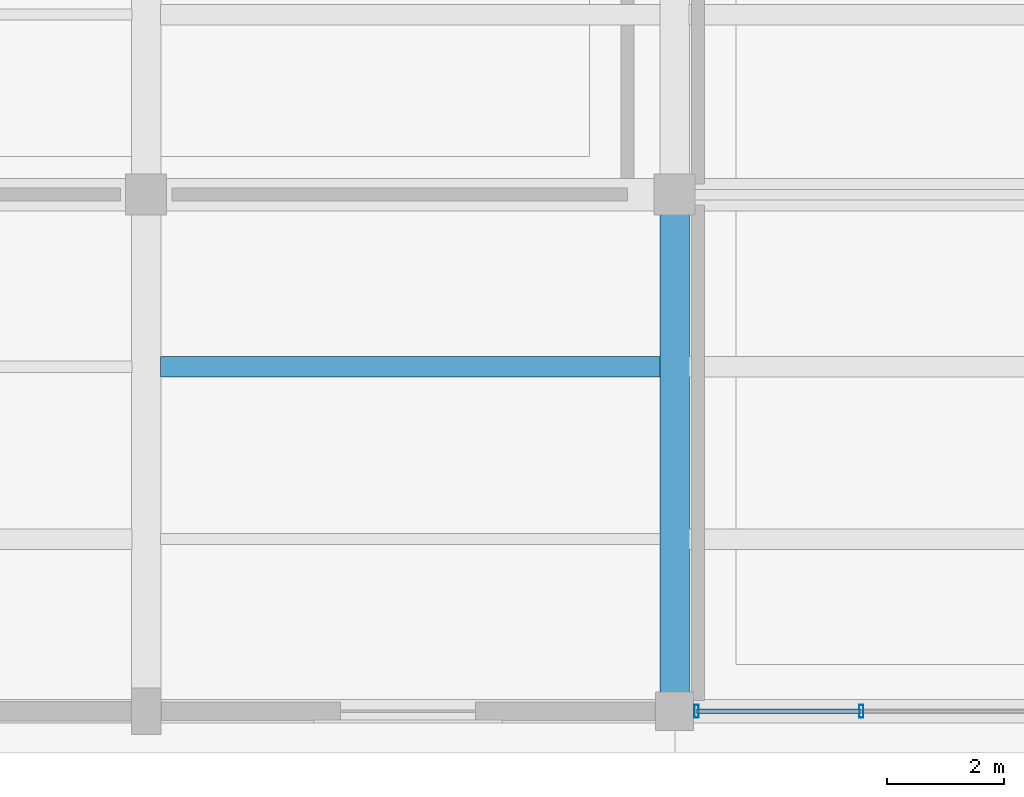
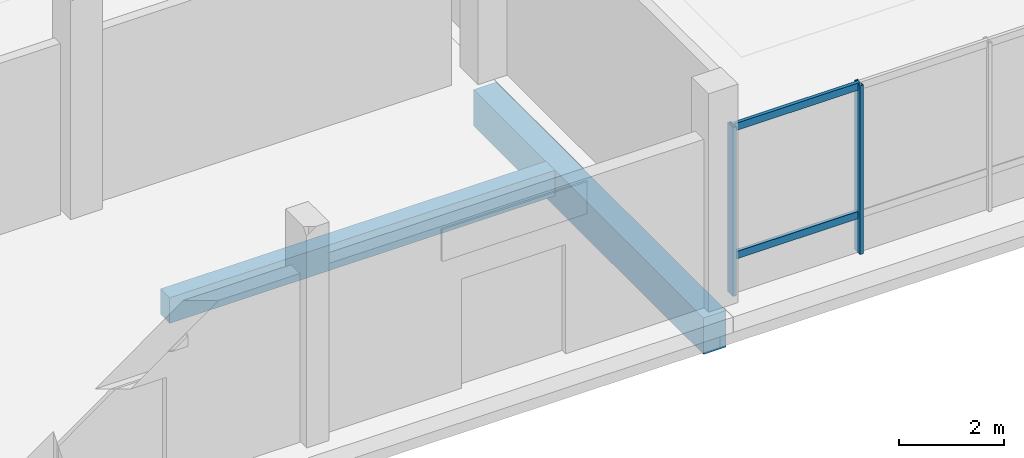
# One storey, part 8 of 73: 4 members, 2 beams, 1 element without a shape of its own.
"""IFC4 building model written with IfcOpenShell, lengths in metres."""

import ifcopenshell
import ifcopenshell.guid

model = None  # the IFC model being written
_history = None  # IfcOwnerHistory: only IFC2X3 demands one
_inside = {}  # id of a spatial element -> (the spatial element, [elements in it])
_under = {}  # id of a project, library or spatial element -> (it, [spatial elements below it])
_declared = {}  # id of a project -> (the project, [libraries it declares])
_typed = {}  # id of a type object -> (the type object, [elements of that type])
_made_of = {}  # id of a material, layer set ... -> (it, [elements and type objects made of it])


def new_model(schema):
    """Start an empty IFC model of exactly this schema.

    Asked for "IFC4X3", IfcOpenShell would pick the latest addendum, in which some entities
    have other attributes; the version numbers below select the first issue.
    IFC2X3 requires an IfcOwnerHistory on every rooted entity: one is made here for all.
    """
    global model, _history
    if schema == "IFC4X3":
        model = ifcopenshell.file(schema_version=(4, 3, 0, 0))
    else:
        model = ifcopenshell.file(schema=schema)
    _inside.clear()
    _under.clear()
    _declared.clear()
    _typed.clear()
    _made_of.clear()
    _history = None
    if model.schema == "IFC2X3":
        org = make("IfcOrganization", Name="unknown")
        user = make(
            "IfcPersonAndOrganization",
            ThePerson=make("IfcPerson", FamilyName="unknown"),
            TheOrganization=org,
        )
        app = make(
            "IfcApplication",
            ApplicationDeveloper=org,
            Version="unknown",
            ApplicationFullName="unknown",
            ApplicationIdentifier="unknown",
        )
        _history = make(
            "IfcOwnerHistory",
            OwningUser=user,
            OwningApplication=app,
            ChangeAction="ADDED",
            CreationDate=0,
        )
    return model


def make(cls, **values):
    """One entity of the class cls with the attributes given. An attribute that is None is left unset."""
    return model.create_entity(
        cls, **{name: value for name, value in values.items() if value is not None}
    )


def rooted(cls, **values):
    """An entity with a GlobalId (a new one), such as an element, a storey or a relation."""
    return make(cls, GlobalId=ifcopenshell.guid.new(), OwnerHistory=_history, **values)


def si_unit(unit_type, name, prefix=None):
    """IfcSIUnit, for example si_unit("LENGTHUNIT", "METRE", prefix="MILLI")."""
    return make("IfcSIUnit", UnitType=unit_type, Prefix=prefix, Name=name)


def assignment(units):
    """IfcUnitAssignment: the units of a project."""
    return None if units is None else make("IfcUnitAssignment", Units=units)


def point(xyz):
    """IfcCartesianPoint."""
    return None if xyz is None else make("IfcCartesianPoint", Coordinates=xyz)


def direction(xyz):
    """IfcDirection."""
    return None if xyz is None else make("IfcDirection", DirectionRatios=xyz)


def frame(location, z_axis=None, x_axis=None):
    """IfcAxis2Placement3D, a coordinate frame: its origin and axes. An axis left out is left unset."""
    return make(
        "IfcAxis2Placement3D",
        Location=point(location),
        Axis=direction(z_axis),
        RefDirection=direction(x_axis),
    )


def frame_2d(location, x_axis=None):
    """IfcAxis2Placement2D, a coordinate frame in the plane: its origin and x axis."""
    return make(
        "IfcAxis2Placement2D", Location=point(location), RefDirection=direction(x_axis)
    )


def origin():
    """The frame at (0, 0, 0) with its axes left unset."""
    return frame((0.0, 0.0, 0.0))


def origin_2d():
    """The frame at (0, 0) in the plane with its x axis left unset."""
    return frame_2d((0.0, 0.0))


def place(relative_to, where):
    """IfcLocalPlacement: puts the frame where relative to a parent placement (None: the world)."""
    return make(
        "IfcLocalPlacement", PlacementRelTo=relative_to, RelativePlacement=where
    )


def context(
    kind, dimensions, precision=None, world=None, true_north=None, identifier=None
):
    """IfcGeometricRepresentationContext, for example the 3D "Model" context."""
    return make(
        "IfcGeometricRepresentationContext",
        ContextIdentifier=identifier,
        ContextType=kind,
        CoordinateSpaceDimension=dimensions,
        Precision=precision,
        WorldCoordinateSystem=world,
        TrueNorth=true_north,
    )


def subcontext(parent, identifier, kind, view, scale=None):
    """IfcGeometricRepresentationSubContext, for example "Body" below "Model"."""
    return make(
        "IfcGeometricRepresentationSubContext",
        ContextIdentifier=identifier,
        ContextType=kind,
        ParentContext=parent,
        TargetScale=scale,
        TargetView=view,
    )


def project(units=None, contexts=None):
    """IfcProject with its units and contexts."""
    return rooted(
        "IfcProject",
        Name="project",
        RepresentationContexts=contexts,
        UnitsInContext=assignment(units),
    )


def spatial(cls, under=None, at=None, **own):
    """A site, building, storey or space (cls), placed at a placement, below another one or the project."""
    s = rooted(cls, ObjectPlacement=at, **own)
    if under is not None:
        _under.setdefault(under.id(), (under, []))[1].append(s)
    return s


def profile(cls, at=None, kind="AREA", **sizes):
    """A parametric profile (cls). Its sizes go by their IFC names, for example OverallWidth=200.0."""
    return make(cls, ProfileType=kind, Position=at, **sizes)


def rectangle(**sizes):
    """IfcRectangleProfileDef."""
    return profile("IfcRectangleProfileDef", **sizes)


def hollow_rectangle(**sizes):
    """IfcRectangleHollowProfileDef."""
    return profile("IfcRectangleHollowProfileDef", **sizes)


def extrude(swept, where, along, depth):
    """IfcExtrudedAreaSolid: the profile swept, set in the frame where, extruded along a direction by depth."""
    return make(
        "IfcExtrudedAreaSolid",
        SweptArea=swept,
        Position=where,
        ExtrudedDirection=direction(along),
        Depth=depth,
    )


def shape(context_of_items, identifier, shape_type, items):
    """IfcShapeRepresentation: the items that make up one representation, for example the "Body"."""
    return make(
        "IfcShapeRepresentation",
        ContextOfItems=context_of_items,
        RepresentationIdentifier=identifier,
        RepresentationType=shape_type,
        Items=items,
    )


def material(Name=None, Category=None):
    """IfcMaterial."""
    return make("IfcMaterial", Name=Name, Category=Category)


def layer(
    of_material, thickness, ventilated=None, Name=None, Category=None, Priority=None
):
    """IfcMaterialLayer: one layer of a wall or slab, of a material (None: an air gap)."""
    return make(
        "IfcMaterialLayer",
        Material=of_material,
        LayerThickness=thickness,
        IsVentilated=ventilated,
        Name=Name,
        Category=Category,
        Priority=Priority,
    )


def layer_set(layers, Name=None):
    """IfcMaterialLayerSet."""
    return make("IfcMaterialLayerSet", MaterialLayers=layers, LayerSetName=Name)


def material_profile(
    of_material, cross_section, Name=None, Category=None, Priority=None
):
    """IfcMaterialProfile: a cross section and its material."""
    return make(
        "IfcMaterialProfile",
        Name=Name,
        Material=of_material,
        Profile=cross_section,
        Priority=Priority,
        Category=Category,
    )


def profile_set(profiles, Name=None, composite=None):
    """IfcMaterialProfileSet."""
    return make(
        "IfcMaterialProfileSet",
        Name=Name,
        MaterialProfiles=profiles,
        CompositeProfile=composite,
    )


def made_of(thing, what):
    """Note that an element or type object is made of a material, layer set ...; save() writes the relation."""
    if what is not None:
        _made_of.setdefault(what.id(), (what, []))[1].append(thing)
    return thing


def type_object(cls, material=None, **own):
    """A type object (cls), such as IfcWallType, which elements share."""
    return made_of(rooted(cls, **own), material)


def element(
    cls,
    number,
    at=None,
    inside=None,
    cuts=None,
    type_object=None,
    material=None,
    context=None,
    identifier="Body",
    shape_type=None,
    held_by="IfcProductDefinitionShape",
    body=None,
    shapes=None,
    **own,
):
    """One element of the class cls, such as IfcWall. Its Tag is "e" and its number.

    at: its placement. inside: the storey or other place that contains it. cuts: it is an
    opening in that element (IfcRelVoidsElement). A single representation is given by context,
    identifier, shape_type and body (its items); several are given by shapes. held_by: the class
    of the entity that holds the representations. save() writes the other relations.
    """
    e = rooted(cls, Tag="e%d" % number, ObjectPlacement=at, **own)
    if body is not None:
        shapes = [shape(context, identifier, shape_type, body)]
    if shapes is not None:
        e.Representation = make(held_by, Representations=shapes)
    if inside is not None:
        _inside.setdefault(inside.id(), (inside, []))[1].append(e)
    if cuts is not None:
        rooted(
            "IfcRelVoidsElement", RelatingBuildingElement=cuts, RelatedOpeningElement=e
        )
    if type_object is not None:
        _typed.setdefault(type_object.id(), (type_object, []))[1].append(e)
    return made_of(e, material)


def aggregate(whole, parts):
    """IfcRelAggregates: a whole, such as a stair, and the parts it consists of."""
    return rooted("IfcRelAggregates", RelatingObject=whole, RelatedObjects=parts)


def save(model, path):
    """Write the relations noted so far, then the file.

    IfcRelAggregates (storeys below a building ...), IfcRelContainedInSpatialStructure (elements
    in a storey), IfcRelDefinesByType, IfcRelAssociatesMaterial and IfcRelDeclares: one each for
    every whole, place, type object, material and project.
    """
    for whole, parts in _under.values():
        aggregate(whole, parts)
    for where, things in _inside.values():
        rooted(
            "IfcRelContainedInSpatialStructure",
            RelatedElements=things,
            RelatingStructure=where,
        )
    for kind, things in _typed.values():
        rooted("IfcRelDefinesByType", RelatedObjects=things, RelatingType=kind)
    for what, things in _made_of.values():
        rooted("IfcRelAssociatesMaterial", RelatedObjects=things, RelatingMaterial=what)
    for by, libraries in _declared.values():
        rooted("IfcRelDeclares", RelatingContext=by, RelatedDefinitions=libraries)
    model.write(path)


model = new_model("IFC4")

# Units and contexts
model_context = context("Model", 3, precision=1e-05, world=origin(), true_north=direction((0.0, 1.0)))
body_context = subcontext(model_context, "Body", "Model", "MODEL_VIEW")
ifc_project = project(units=[si_unit("LENGTHUNIT", "METRE"), si_unit("AREAUNIT", "SQUARE_METRE"), si_unit("VOLUMEUNIT", "CUBIC_METRE"), si_unit("PLANEANGLEUNIT", "RADIAN"), si_unit("MASSUNIT", "GRAM", prefix="KILO")], contexts=[model_context])

# Site, building, storey
site_placement = place(None, origin())
site = spatial("IfcSite", under=ifc_project, at=site_placement, CompositionType="ELEMENT")
building_placement = place(site_placement, origin())
building = spatial("IfcBuilding", under=site, at=building_placement, Name="Meriwether Solvik Hall", CompositionType="ELEMENT")
storey_placement = place(building_placement, origin())
storey = spatial("IfcBuildingStorey", under=building, at=storey_placement, Name="L00", CompositionType="ELEMENT", Elevation=0.0)

# Beams
ifc_material_1 = material(Name="Concrete C40/50", Category="concrete")
ifc_material_profile_1 = material_profile(ifc_material_1, rectangle(XDim=0.35009765625, YDim=0.60009765625, at=origin_2d()), Name="RCB-350X600")
ifc_profile_set_1 = profile_set([ifc_material_profile_1], Name="Concrete C40/50")
beam_type_1 = type_object("IfcBeamType", Name="BM-RC-350X600", PredefinedType="JOIST", material=ifc_profile_set_1)
beam_1_placement = place(storey_placement, frame((50.64501953125, 11.066650390625, -0.659912109375), z_axis=(1.0, 0.0, 0.0), x_axis=(0.0, 1.0, 0.0)))
element("IfcBeam", 1, at=beam_1_placement, inside=storey, type_object=beam_type_1, Name="Secondary Floor Joist 6/A_J2 (L00)", PredefinedType="JOIST", context=body_context, shape_type="SweptSolid", body=[
    extrude(rectangle(XDim=0.35009765625, YDim=0.60009765625, at=origin_2d()), origin(), (0.0, 0.0, 1.0), 8.510009765625),
])
ifc_material_2 = material(Name="Concrete C40/50", Category="concrete")
ifc_material_profile_2 = material_profile(ifc_material_2, rectangle(XDim=0.5, YDim=0.85009765625, at=origin_2d()), Name="RCB-500X850")
ifc_profile_set_2 = profile_set([ifc_material_profile_2], Name="Concrete C40/50")
beam_type_2 = type_object("IfcBeamType", Name="BM-RC-500X850", PredefinedType="BEAM", material=ifc_profile_set_2)
beam_2_placement = place(storey_placement, frame((59.39990234375, 5.199951171875, -0.784912109375), z_axis=(0.0, 1.0, 0.0), x_axis=(-1.0, 0.0, 0.0)))
element("IfcBeam", 2, at=beam_2_placement, inside=storey, type_object=beam_type_2, Name="Podium Girder 7:A-B (L00)", PredefinedType="BEAM", context=body_context, shape_type="SweptSolid", body=[
    extrude(rectangle(XDim=0.5, YDim=0.85009765625, at=origin_2d()), origin(), (0.0, 0.0, 1.0), 8.800048828125),
])

# Curtain wall, members
ifc_material_3 = material(Name="Thermally Broken Anodised Aluminium 6063-T6 and Low-E Glass", Category="aluminium")
ifc_layer = layer(ifc_material_3, 0.179931640625)
ifc_layer_set = layer_set([ifc_layer], Name="Thermally Broken Anodised Aluminium 6063-T6 and Low-E Glass")
curtain_wall_type = type_object("IfcCurtainWallType", Name="CW-SF-POD-A", PredefinedType="USERDEFINED", material=ifc_layer_set)
curtain_wall_placement = place(storey_placement, origin())
curtain_wall = element("IfcCurtainWall", 3, at=curtain_wall_placement, inside=storey, type_object=curtain_wall_type, Name="Curtain Wall wing_XA_7_6 (L00)", ObjectType="STICK STOREFRONT GLAZING", PredefinedType="USERDEFINED")
ifc_material_4 = material(Name="Anodised Aluminium 6063-T6", Category="aluminium")
ifc_material_profile_3 = material_profile(ifc_material_4, hollow_rectangle(XDim=0.074951171875, YDim=0.219970703125, WallThickness=0.005615234375, at=origin_2d()), Name="CWM-75X220")
ifc_profile_set_3 = profile_set([ifc_material_profile_3], Name="Anodised Aluminium 6063-T6")
member_type_1 = type_object("IfcMemberType", Name="CW-MUL-75X220", PredefinedType="MULLION", material=ifc_profile_set_3)
member_1_placement = place(storey_placement, frame((62.5791015625, 5.199951171875, 0.0), z_axis=(0.0, 0.0, 1.0), x_axis=(-1.0, 0.0, 0.0)))
member_1 = element("IfcMember", 4, at=member_1_placement, type_object=member_type_1, Name="Curtain Wall Mullion 3", PredefinedType="MULLION", context=body_context, shape_type="SweptSolid", body=[
    extrude(hollow_rectangle(XDim=0.074951171875, YDim=0.219970703125, WallThickness=0.005615234375, at=origin_2d()), origin(), (0.0, 0.0, 1.0), 3.93994140625),
])
member_2_placement = place(storey_placement, frame((59.77490234375, 5.199951171875, 0.0), z_axis=(0.0, 0.0, 1.0), x_axis=(-1.0, 0.0, 0.0)))
member_2 = element("IfcMember", 5, at=member_2_placement, type_object=member_type_1, Name="Curtain Wall Mullion 4", PredefinedType="MULLION", context=body_context, shape_type="SweptSolid", body=[
    extrude(hollow_rectangle(XDim=0.074951171875, YDim=0.219970703125, WallThickness=0.005615234375, at=origin_2d()), origin(), (0.0, 0.0, 1.0), 3.93994140625),
])
ifc_material_5 = material(Name="Anodised Aluminium 6063-T6", Category="aluminium")
ifc_material_profile_4 = material_profile(ifc_material_5, hollow_rectangle(XDim=0.074951171875, YDim=0.169921875, WallThickness=0.005615234375, at=origin_2d()), Name="CWT-75X170")
ifc_profile_set_4 = profile_set([ifc_material_profile_4], Name="Anodised Aluminium 6063-T6")
member_type_2 = type_object("IfcMemberType", Name="CW-TRN-75X170", PredefinedType="USERDEFINED", material=ifc_profile_set_4)
member_3_placement = place(storey_placement, frame((62.5791015625, 5.199951171875, 0.8798828125), z_axis=(-1.0, 0.0, 0.0), x_axis=(0.0, -1.0, 0.0)))
member_3 = element("IfcMember", 6, at=member_3_placement, type_object=member_type_2, Name="Curtain Wall Transom 3-sill", ObjectType="TRANSOM", PredefinedType="USERDEFINED", context=body_context, shape_type="SweptSolid", body=[
    extrude(hollow_rectangle(XDim=0.074951171875, YDim=0.169921875, WallThickness=0.005615234375, at=origin_2d()), origin(), (0.0, 0.0, 1.0), 2.80419921875),
])
member_4_placement = place(storey_placement, frame((62.5791015625, 5.199951171875, 3.8798828125), z_axis=(-1.0, 0.0, 0.0), x_axis=(0.0, -1.0, 0.0)))
member_4 = element("IfcMember", 7, at=member_4_placement, type_object=member_type_2, Name="Curtain Wall Transom 3-head", ObjectType="TRANSOM", PredefinedType="USERDEFINED", context=body_context, shape_type="SweptSolid", body=[
    extrude(hollow_rectangle(XDim=0.074951171875, YDim=0.169921875, WallThickness=0.005615234375, at=origin_2d()), origin(), (0.0, 0.0, 1.0), 2.80419921875),
])
aggregate(curtain_wall, [member_1, member_2, member_3, member_4])

save(model, "model.ifc")
